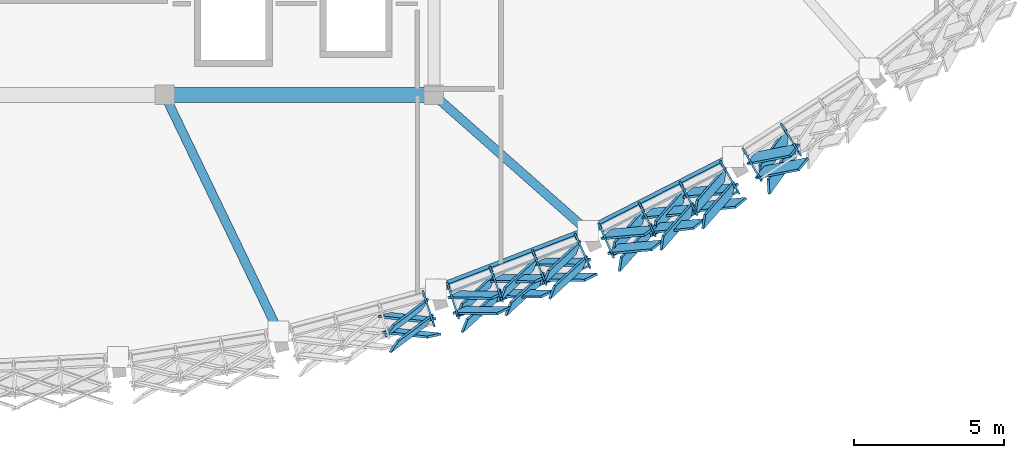
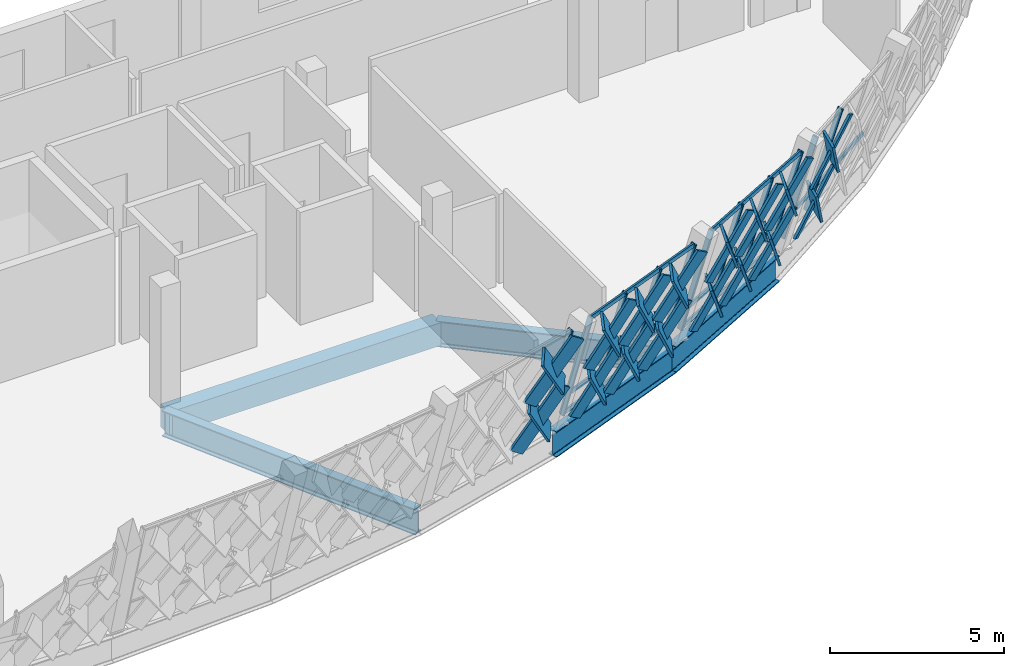
# One storey, part 89 of 182: 50 members, 5 beams, 4 elements without a shape of their own.
"""IFC4 building model written with IfcOpenShell, lengths in metres."""

from ifc_helpers import new_model, si_unit, direction, frame, origin, origin_2d, place, context, subcontext, project, spatial, rectangle, hollow_rectangle, i_section, extrude, material, material_profile, profile_set, type_object, element, aggregate, save


model = new_model("IFC4")

# Units and contexts
model_context = context("Model", 3, precision=1e-05, world=origin(), true_north=direction((0.0, 1.0)))
body_context = subcontext(model_context, "Body", "Model", "MODEL_VIEW")
ifc_project = project(units=[si_unit("LENGTHUNIT", "METRE"), si_unit("AREAUNIT", "SQUARE_METRE"), si_unit("VOLUMEUNIT", "CUBIC_METRE"), si_unit("PLANEANGLEUNIT", "RADIAN"), si_unit("MASSUNIT", "GRAM", prefix="KILO")], contexts=[model_context])

# Site, building, storey
site_placement = place(None, origin())
site = spatial("IfcSite", under=ifc_project, at=site_placement, CompositionType="ELEMENT")
building_placement = place(site_placement, origin())
building = spatial("IfcBuilding", under=site, at=building_placement, Name="Chiffa Square Polytechnic", CompositionType="ELEMENT")
storey_placement = place(building_placement, frame((0.0, 0.0, 9.60009765625)))
storey = spatial("IfcBuildingStorey", under=building, at=storey_placement, Name="L02", CompositionType="ELEMENT", Elevation=9.60009765625)

# Beam
ifc_material_1 = material(Name="Concrete C40/50", Category="concrete")
ifc_material_profile_1 = material_profile(ifc_material_1, rectangle(XDim=0.5, YDim=0.800048828125, at=origin_2d()), Name="RC 500x800")
ifc_profile_set_1 = profile_set([ifc_material_profile_1], Name="Concrete C40/50")
beam_type_1 = type_object("IfcBeamType", Name="BM-RC-500X800", PredefinedType="BEAM", material=ifc_profile_set_1)
beam_1_placement = place(storey_placement, frame((130.199951171875, 14.39990234375, -0.72021484375), z_axis=(1.0, 0.0, 0.0), x_axis=(0.0, 1.0, 0.0)))
element("IfcBeam", 1, at=beam_1_placement, inside=storey, type_object=beam_type_1, Name="Primary floor girder BM-V1-L02-X-1302-0144", PredefinedType="BEAM", context=body_context, shape_type="SweptSolid", body=[
    extrude(rectangle(XDim=0.5, YDim=0.800048828125, at=origin_2d()), origin(), (0.0, 0.0, 1.0), 9.0),
])

# Curtain wall, member
ifc_material_2 = material(Name="Aluminium EN AW-6060 T66 and glulam shading", Category="wood")
curtain_wall_type_1 = type_object("IfcCurtainWallType", Name="CW-PROW-LEAN-150", PredefinedType="USERDEFINED", material=ifc_material_2)
curtain_wall_1_placement = place(storey_placement, origin())
curtain_wall_1 = element("IfcCurtainWall", 2, at=curtain_wall_1_placement, inside=storey, type_object=curtain_wall_type_1, Name="Outward-leaning diamond-fin prow curtain wall CW-V1-L02-031", ObjectType="CURTAIN WALL", PredefinedType="USERDEFINED")
ifc_material_3 = material(Name="Aluminium EN AW-6060 T66", Category="aluminium")
ifc_material_profile_2 = material_profile(ifc_material_3, hollow_rectangle(XDim=0.06494140625, YDim=0.179931640625, WallThickness=0.00390625, at=origin_2d()), Name="ALU 65x180x4")
ifc_profile_set_2 = profile_set([ifc_material_profile_2], Name="Aluminium EN AW-6060 T66")
member_type_1 = type_object("IfcMemberType", Name="CWM-ALU-75X180", PredefinedType="MULLION", material=ifc_profile_set_2)
member_1_placement = place(storey_placement, frame((138.85400390625, 7.783935546875, 0.0), z_axis=(0.084014345968, -0.258840508052, 0.96225941464), x_axis=(0.951151543377, 0.308724377936, 0.0)))
member_1 = element("IfcMember", 3, at=member_1_placement, type_object=member_type_1, Name="Leaning prow mullion CW-V1-L02-031-M03", PredefinedType="MULLION", context=body_context, shape_type="SweptSolid", body=[
    extrude(hollow_rectangle(XDim=0.06494140625, YDim=0.179931640625, WallThickness=0.00390625, at=origin_2d()), origin(), (0.0, 0.0, 1.0), 4.094482421875),
])

# Curtain wall, members
curtain_wall_type_2 = type_object("IfcCurtainWallType", Name="CW-PROW-LEAN-300", PredefinedType="USERDEFINED", material=ifc_material_2)
curtain_wall_2_placement = place(storey_placement, origin())
curtain_wall_2 = element("IfcCurtainWall", 4, at=curtain_wall_2_placement, inside=storey, type_object=curtain_wall_type_2, Name="Outward-leaning diamond-fin prow curtain wall CW-V1-L02-032", ObjectType="CURTAIN WALL", PredefinedType="USERDEFINED")
member_2_placement = place(storey_placement, frame((139.669921875, 8.049072265625, 0.0), z_axis=(0.084013049182, -0.258896138786, 0.962244561891), x_axis=(0.951172420278, 0.308660050707, 0.0)))
member_2 = element("IfcMember", 5, at=member_2_placement, type_object=member_type_1, Name="Leaning prow mullion CW-V1-L02-032-M00", PredefinedType="MULLION", context=body_context, shape_type="SweptSolid", body=[
    extrude(hollow_rectangle(XDim=0.06494140625, YDim=0.179931640625, WallThickness=0.00390625, at=origin_2d()), origin(), (0.0, 0.0, 1.0), 4.094482421875),
])
member_3_placement = place(storey_placement, frame((141.09619140625, 8.5966796875, 0.0), z_axis=(0.093022339596, -0.25557291507, 0.96230417718), x_axis=(0.939690959508, 0.342024707614, 0.0)))
member_3 = element("IfcMember", 6, at=member_3_placement, type_object=member_type_1, Name="Leaning prow mullion CW-V1-L02-032-M01", PredefinedType="MULLION", context=body_context, shape_type="SweptSolid", body=[
    extrude(hollow_rectangle(XDim=0.06494140625, YDim=0.179931640625, WallThickness=0.00390625, at=origin_2d()), origin(), (0.0, 0.0, 1.0), 4.09423828125),
])
member_4_placement = place(storey_placement, frame((142.522705078125, 9.144287109375, 0.0), z_axis=(0.101906852914, -0.252173248082, 0.962301224296), x_axis=(0.927155441925, 0.374676909494, 0.0)))
member_4 = element("IfcMember", 7, at=member_4_placement, type_object=member_type_1, Name="Leaning prow mullion CW-V1-L02-032-M02", PredefinedType="MULLION", context=body_context, shape_type="SweptSolid", body=[
    extrude(hollow_rectangle(XDim=0.06494140625, YDim=0.179931640625, WallThickness=0.00390625, at=origin_2d()), origin(), (0.0, 0.0, 1.0), 4.09423828125),
])
member_5_placement = place(storey_placement, frame((143.948974609375, 9.69189453125, 0.0), z_axis=(0.110897424561, -0.248803738007, 0.962184213745), x_axis=(0.913377785694, 0.407113031726, 0.0)))
member_5 = element("IfcMember", 8, at=member_5_placement, type_object=member_type_1, Name="Leaning prow mullion CW-V1-L02-032-M03", PredefinedType="MULLION", context=body_context, shape_type="SweptSolid", body=[
    extrude(hollow_rectangle(XDim=0.06494140625, YDim=0.179931640625, WallThickness=0.00390625, at=origin_2d()), origin(), (0.0, 0.0, 1.0), 4.0947265625),
])

curtain_wall_3_placement = place(storey_placement, origin())
curtain_wall_3 = element("IfcCurtainWall", 9, at=curtain_wall_3_placement, inside=storey, type_object=curtain_wall_type_1, Name="Outward-leaning diamond-fin prow curtain wall CW-V1-L02-033", ObjectType="CURTAIN WALL", PredefinedType="USERDEFINED")
member_6_placement = place(storey_placement, frame((144.73291015625, 10.041015625, 0.0), z_axis=(0.110895779321, -0.248859668218, 0.962169939077), x_axis=(0.913414051877, 0.407031657041, 0.0)))
member_6 = element("IfcMember", 10, at=member_6_placement, type_object=member_type_1, Name="Leaning prow mullion CW-V1-L02-033-M00", PredefinedType="MULLION", context=body_context, shape_type="SweptSolid", body=[
    extrude(hollow_rectangle(XDim=0.06494140625, YDim=0.179931640625, WallThickness=0.00390625, at=origin_2d()), origin(), (0.0, 0.0, 1.0), 4.094970703125),
])
member_7_placement = place(storey_placement, frame((146.09423828125, 10.734619140625, 0.0), z_axis=(0.119315050299, -0.244533244017, 0.962272004863), x_axis=(0.898724211382, 0.438514300652, 0.0)))
member_7 = element("IfcMember", 11, at=member_7_placement, type_object=member_type_1, Name="Leaning prow mullion CW-V1-L02-033-M01", PredefinedType="MULLION", context=body_context, shape_type="SweptSolid", body=[
    extrude(hollow_rectangle(XDim=0.06494140625, YDim=0.179931640625, WallThickness=0.00390625, at=origin_2d()), origin(), (0.0, 0.0, 1.0), 4.094482421875),
])
member_8_placement = place(storey_placement, frame((147.455810546875, 11.42822265625, 0.0), z_axis=(0.127605516456, -0.240244217664, 0.962288703066), x_axis=(0.883152611601, 0.469085775335, 0.0)))
member_8 = element("IfcMember", 12, at=member_8_placement, type_object=member_type_1, Name="Leaning prow mullion CW-V1-L02-033-M02", PredefinedType="MULLION", context=body_context, shape_type="SweptSolid", body=[
    extrude(hollow_rectangle(XDim=0.06494140625, YDim=0.179931640625, WallThickness=0.00390625, at=origin_2d()), origin(), (0.0, 0.0, 1.0), 4.09423828125),
])
member_9_placement = place(storey_placement, frame((148.81689453125, 12.1220703125, 0.0), z_axis=(0.13605999545, -0.235928747587, 0.962198162387), x_axis=(0.866269400341, 0.499577147228, 0.0)))
member_9 = element("IfcMember", 13, at=member_9_placement, type_object=member_type_1, Name="Leaning prow mullion CW-V1-L02-033-M03", PredefinedType="MULLION", context=body_context, shape_type="SweptSolid", body=[
    extrude(hollow_rectangle(XDim=0.06494140625, YDim=0.179931640625, WallThickness=0.00390625, at=origin_2d()), origin(), (0.0, 0.0, 1.0), 4.0947265625),
])

curtain_wall_4_placement = place(storey_placement, origin())
curtain_wall_4 = element("IfcCurtainWall", 14, at=curtain_wall_4_placement, inside=storey, type_object=curtain_wall_type_2, Name="Outward-leaning diamond-fin prow curtain wall CW-V1-L02-034", ObjectType="CURTAIN WALL", PredefinedType="USERDEFINED")
member_10_placement = place(storey_placement, frame((149.56103515625, 12.551025390625, 0.0), z_axis=(0.136001475365, -0.235930661122, 0.962205966434), x_axis=(0.866364137103, 0.499412837182, 0.0)))
member_10 = element("IfcMember", 15, at=member_10_placement, type_object=member_type_1, Name="Leaning prow mullion CW-V1-L02-034-M00", PredefinedType="MULLION", context=body_context, shape_type="SweptSolid", body=[
    extrude(hollow_rectangle(XDim=0.06494140625, YDim=0.179931640625, WallThickness=0.00390625, at=origin_2d()), origin(), (0.0, 0.0, 1.0), 4.0947265625),
])
member_11_placement = place(storey_placement, frame((150.842041015625, 13.383056640625, 0.0), z_axis=(0.144004270539, -0.230764607448, 0.962294375966), x_axis=(0.848367563844, 0.529407665809, 0.0)))
member_11 = element("IfcMember", 16, at=member_11_placement, type_object=member_type_1, Name="Leaning prow mullion CW-V1-L02-034-M01", PredefinedType="MULLION", context=body_context, shape_type="SweptSolid", body=[
    extrude(hollow_rectangle(XDim=0.06494140625, YDim=0.179931640625, WallThickness=0.00390625, at=origin_2d()), origin(), (0.0, 0.0, 1.0), 4.09423828125),
])

# Member
ifc_material_4 = material(Name="Glulam GL28h", Category="wood")
ifc_material_profile_3 = material_profile(ifc_material_4, rectangle(XDim=0.080078125, YDim=0.580078125, at=origin_2d()), Name="GL28h 80x580")
ifc_profile_set_3 = profile_set([ifc_material_profile_3], Name="Glulam GL28h")
member_type_2 = type_object("IfcMemberType", Name="CWM-GL-80X580", PredefinedType="MULLION", material=ifc_profile_set_3)
member_12_placement = place(storey_placement, frame((137.55908203125, 7.037109375, 0.039794921875), z_axis=(0.607554366802, -0.06846246901, 0.791322046778), x_axis=(-0.095360008427, 0.982784811571, 0.158241849515)))
member_12 = element("IfcMember", 17, at=member_12_placement, type_object=member_type_2, Name="Diamond glulam fin CW-V1-L02-031-DF05A", PredefinedType="MULLION", context=body_context, shape_type="SweptSolid", body=[
    extrude(rectangle(XDim=0.080078125, YDim=0.580078125, at=origin_2d()), origin(), (0.0, 0.0, 1.0), 2.439208984375),
])

member_13_placement = place(storey_placement, frame((138.873046875, 7.388916015625, 0.039794921875), z_axis=(-0.480743878, -0.362375847535, 0.798479222578), x_axis=(0.746449845607, -0.646942315178, 0.155814854317)))
member_13 = element("IfcMember", 18, at=member_13_placement, type_object=member_type_2, Name="Diamond glulam fin CW-V1-L02-031-DF05B", PredefinedType="MULLION", context=body_context, shape_type="SweptSolid", body=[
    extrude(rectangle(XDim=0.080078125, YDim=0.580078125, at=origin_2d()), origin(), (0.0, 0.0, 1.0), 2.417236328125),
])

member_14_placement = place(storey_placement, frame((137.7109375, 6.512939453125, 1.969970703125), z_axis=(0.611565214493, -0.066522178419, 0.788392534339), x_axis=(-0.098403300926, 0.98232698428, 0.159218360505)))
member_14 = element("IfcMember", 19, at=member_14_placement, type_object=member_type_2, Name="Diamond glulam fin CW-V1-L02-031-DF06A", PredefinedType="MULLION", context=body_context, shape_type="SweptSolid", body=[
    extrude(rectangle(XDim=0.080078125, YDim=0.580078125, at=origin_2d()), origin(), (0.0, 0.0, 1.0), 2.447998046875),
])

member_15_placement = place(storey_placement, frame((139.041015625, 6.8701171875, 1.969970703125), z_axis=(-0.485742264685, -0.363024194088, 0.795152744324), x_axis=(0.743096465138, -0.650518456932, 0.156950249093)))
member_15 = element("IfcMember", 20, at=member_15_placement, type_object=member_type_2, Name="Diamond glulam fin CW-V1-L02-031-DF06B", PredefinedType="MULLION", context=body_context, shape_type="SweptSolid", body=[
    extrude(rectangle(XDim=0.080078125, YDim=0.580078125, at=origin_2d()), origin(), (0.0, 0.0, 1.0), 2.427001953125),
])

aggregate(curtain_wall_1, [member_1, member_12, member_13, member_14, member_15])

member_16_placement = place(storey_placement, frame((139.885986328125, 7.718017578125, 0.039794921875), z_axis=(0.602195303037, -0.010299114841, 0.798282371867), x_axis=(-0.270072654345, 0.938335901218, 0.215839055456)))
member_16 = element("IfcMember", 21, at=member_16_placement, type_object=member_type_2, Name="Diamond glulam fin CW-V1-L02-032-DF01A", PredefinedType="MULLION", context=body_context, shape_type="SweptSolid", body=[
    extrude(rectangle(XDim=0.080078125, YDim=0.580078125, at=origin_2d()), origin(), (0.0, 0.0, 1.0), 2.41796875),
])

member_17_placement = place(storey_placement, frame((141.156005859375, 8.2060546875, 0.039794921875), z_axis=(-0.450995929486, -0.412862452093, 0.791294677878), x_axis=(0.839551768665, -0.497131595528, 0.219118699475)))
member_17 = element("IfcMember", 22, at=member_17_placement, type_object=member_type_2, Name="Diamond glulam fin CW-V1-L02-032-DF01B", PredefinedType="MULLION", context=body_context, shape_type="SweptSolid", body=[
    extrude(rectangle(XDim=0.080078125, YDim=0.580078125, at=origin_2d()), origin(), (0.0, 0.0, 1.0), 2.439208984375),
])

member_18_placement = place(storey_placement, frame((140.055908203125, 7.198974609375, 1.969970703125), z_axis=(0.60622458583, -0.007846916312, 0.79525478775), x_axis=(-0.272886787468, 0.937190853436, 0.217269660702)))
member_18 = element("IfcMember", 23, at=member_18_placement, type_object=member_type_2, Name="Diamond glulam fin CW-V1-L02-032-DF02A", PredefinedType="MULLION", context=body_context, shape_type="SweptSolid", body=[
    extrude(rectangle(XDim=0.080078125, YDim=0.580078125, at=origin_2d()), origin(), (0.0, 0.0, 1.0), 2.4267578125),
])

member_19_placement = place(storey_placement, frame((141.342041015625, 7.693115234375, 1.969970703125), z_axis=(-0.456113320376, -0.413343350007, 0.78810399947), x_axis=(0.836189585922, -0.5021222759, 0.220590562899)))
member_19 = element("IfcMember", 24, at=member_19_placement, type_object=member_type_2, Name="Diamond glulam fin CW-V1-L02-032-DF02B", PredefinedType="MULLION", context=body_context, shape_type="SweptSolid", body=[
    extrude(rectangle(XDim=0.080078125, YDim=0.580078125, at=origin_2d()), origin(), (0.0, 0.0, 1.0), 2.44873046875),
])

member_20_placement = place(storey_placement, frame((141.31298828125, 8.26611328125, 0.039794921875), z_axis=(0.606621216277, -0.007842939644, 0.794952318231), x_axis=(-0.272792474077, 0.937185354317, 0.217411770016)))
member_20 = element("IfcMember", 25, at=member_20_placement, type_object=member_type_2, Name="Diamond glulam fin CW-V1-L02-032-DF03A", PredefinedType="MULLION", context=body_context, shape_type="SweptSolid", body=[
    extrude(rectangle(XDim=0.080078125, YDim=0.580078125, at=origin_2d()), origin(), (0.0, 0.0, 1.0), 2.427978515625),
])

member_21_placement = place(storey_placement, frame((142.5830078125, 8.75390625, 0.039794921875), z_axis=(-0.445602309901, -0.411820185323, 0.794885347941), x_axis=(0.842841426584, -0.492277135326, 0.217443214815)))
member_21 = element("IfcMember", 26, at=member_21_placement, type_object=member_type_2, Name="Diamond glulam fin CW-V1-L02-032-DF03B", PredefinedType="MULLION", context=body_context, shape_type="SweptSolid", body=[
    extrude(rectangle(XDim=0.080078125, YDim=0.580078125, at=origin_2d()), origin(), (0.0, 0.0, 1.0), 2.42822265625),
])

member_22_placement = place(storey_placement, frame((141.5009765625, 7.75390625, 1.969970703125), z_axis=(0.610848666887, -0.005308243867, 0.791729580545), x_axis=(-0.275607333843, 0.936010689318, 0.218916849543)))
member_22 = element("IfcMember", 27, at=member_22_placement, type_object=member_type_2, Name="Diamond glulam fin CW-V1-L02-032-DF04A", PredefinedType="MULLION", context=body_context, shape_type="SweptSolid", body=[
    extrude(rectangle(XDim=0.080078125, YDim=0.580078125, at=origin_2d()), origin(), (0.0, 0.0, 1.0), 2.4375),
])

member_23_placement = place(storey_placement, frame((142.785888671875, 8.2470703125, 1.969970703125), z_axis=(-0.450462551032, -0.412398114876, 0.791840441607), x_axis=(0.839710402843, -0.496975249494, 0.21886534844)))
member_23 = element("IfcMember", 28, at=member_23_placement, type_object=member_type_2, Name="Diamond glulam fin CW-V1-L02-032-DF04B", PredefinedType="MULLION", context=body_context, shape_type="SweptSolid", body=[
    extrude(rectangle(XDim=0.080078125, YDim=0.580078125, at=origin_2d()), origin(), (0.0, 0.0, 1.0), 2.437255859375),
])

member_24_placement = place(storey_placement, frame((142.739990234375, 8.81396484375, 0.039794921875), z_axis=(0.611303391378, -0.004904841359, 0.791381138404), x_axis=(-0.276106091696, 0.93582583613, 0.21907859448)))
member_24 = element("IfcMember", 29, at=member_24_placement, type_object=member_type_2, Name="Diamond glulam fin CW-V1-L02-032-DF05A", PredefinedType="MULLION", context=body_context, shape_type="SweptSolid", body=[
    extrude(rectangle(XDim=0.080078125, YDim=0.580078125, at=origin_2d()), origin(), (0.0, 0.0, 1.0), 2.43896484375),
])

member_25_placement = place(storey_placement, frame((144.010009765625, 9.301025390625, 0.039794921875), z_axis=(-0.440465936889, -0.410677433592, 0.798331888364), x_axis=(0.845900373256, -0.487725551913, 0.215815533584)))
member_25 = element("IfcMember", 30, at=member_25_placement, type_object=member_type_2, Name="Diamond glulam fin CW-V1-L02-032-DF05B", PredefinedType="MULLION", context=body_context, shape_type="SweptSolid", body=[
    extrude(rectangle(XDim=0.080078125, YDim=0.580078125, at=origin_2d()), origin(), (0.0, 0.0, 1.0), 2.417724609375),
])

member_26_placement = place(storey_placement, frame((142.945068359375, 8.30810546875, 1.969970703125), z_axis=(0.615407974852, -0.002492741311, 0.788204802529), x_axis=(-0.278683537725, 0.934716906923, 0.22054430329)))
member_26 = element("IfcMember", 31, at=member_26_placement, type_object=member_type_2, Name="Diamond glulam fin CW-V1-L02-032-DF06A", PredefinedType="MULLION", context=body_context, shape_type="SweptSolid", body=[
    extrude(rectangle(XDim=0.080078125, YDim=0.580078125, at=origin_2d()), origin(), (0.0, 0.0, 1.0), 2.448486328125),
])

member_27_placement = place(storey_placement, frame((144.23095703125, 8.802001953125, 1.969970703125), z_axis=(-0.445066672505, -0.411666551513, 0.795264929059), x_axis=(0.843144797469, -0.491836168424, 0.217264893461)))
member_27 = element("IfcMember", 32, at=member_27_placement, type_object=member_type_2, Name="Diamond glulam fin CW-V1-L02-032-DF06B", PredefinedType="MULLION", context=body_context, shape_type="SweptSolid", body=[
    extrude(rectangle(XDim=0.080078125, YDim=0.580078125, at=origin_2d()), origin(), (0.0, 0.0, 1.0), 2.4267578125),
])

member_28_placement = place(storey_placement, frame((144.98291015625, 9.735107421875, 0.039794921875), z_axis=(0.599863248481, 0.052109332696, 0.798403845537), x_axis=(-0.438218001638, 0.856294626181, 0.27335781718)))
member_28 = element("IfcMember", 33, at=member_28_placement, type_object=member_type_2, Name="Diamond glulam fin CW-V1-L02-033-DF01A", PredefinedType="MULLION", context=body_context, shape_type="SweptSolid", body=[
    extrude(rectangle(XDim=0.080078125, YDim=0.580078125, at=origin_2d()), origin(), (0.0, 0.0, 1.0), 2.41748046875),
])

member_29_placement = place(storey_placement, frame((146.195068359375, 10.35205078125, 0.039794921875), z_axis=(-0.40548645461, -0.457536061224, 0.791354211341), x_axis=(0.905109125808, -0.322091733791, 0.277550689791)))
member_29 = element("IfcMember", 34, at=member_29_placement, type_object=member_type_2, Name="Diamond glulam fin CW-V1-L02-033-DF01B", PredefinedType="MULLION", context=body_context, shape_type="SweptSolid", body=[
    extrude(rectangle(XDim=0.080078125, YDim=0.580078125, at=origin_2d()), origin(), (0.0, 0.0, 1.0), 2.43896484375),
])

member_30_placement = place(storey_placement, frame((145.2060546875, 9.236083984375, 1.969970703125), z_axis=(0.603661976426, 0.055235070843, 0.795324653941), x_axis=(-0.440755721258, 0.85439946605, 0.275201647146)))
member_30 = element("IfcMember", 35, at=member_30_placement, type_object=member_type_2, Name="Diamond glulam fin CW-V1-L02-033-DF02A", PredefinedType="MULLION", context=body_context, shape_type="SweptSolid", body=[
    extrude(rectangle(XDim=0.080078125, YDim=0.580078125, at=origin_2d()), origin(), (0.0, 0.0, 1.0), 2.426513671875),
])

member_31_placement = place(storey_placement, frame((146.43310546875, 9.861083984375, 1.969970703125), z_axis=(-0.410066305518, -0.459019030052, 0.788128894997), x_axis=(0.902847571334, -0.326774995988, 0.279435797516)))
member_31 = element("IfcMember", 36, at=member_31_placement, type_object=member_type_2, Name="Diamond glulam fin CW-V1-L02-033-DF02B", PredefinedType="MULLION", context=body_context, shape_type="SweptSolid", body=[
    extrude(rectangle(XDim=0.080078125, YDim=0.580078125, at=origin_2d()), origin(), (0.0, 0.0, 1.0), 2.44873046875),
])

member_32_placement = place(storey_placement, frame((146.343994140625, 10.428955078125, 0.039794921875), z_axis=(0.604175272801, 0.055601418848, 0.794909253914), x_axis=(-0.441015750904, 0.854185582758, 0.275448902089)))
member_32 = element("IfcMember", 37, at=member_32_placement, type_object=member_type_2, Name="Diamond glulam fin CW-V1-L02-033-DF03A", PredefinedType="MULLION", context=body_context, shape_type="SweptSolid", body=[
    extrude(rectangle(XDim=0.080078125, YDim=0.580078125, at=origin_2d()), origin(), (0.0, 0.0, 1.0), 2.42822265625),
])

member_33_placement = place(storey_placement, frame((147.555908203125, 11.0458984375, 0.039794921875), z_axis=(-0.399875625675, -0.456282521828, 0.794924992855), x_axis=(0.907951489068, -0.315843557984, 0.275439540335)))
member_33 = element("IfcMember", 38, at=member_33_placement, type_object=member_type_2, Name="Diamond glulam fin CW-V1-L02-033-DF03B", PredefinedType="MULLION", context=body_context, shape_type="SweptSolid", body=[
    extrude(rectangle(XDim=0.080078125, YDim=0.580078125, at=origin_2d()), origin(), (0.0, 0.0, 1.0), 2.42822265625),
])

member_34_placement = place(storey_placement, frame((146.5849609375, 9.93798828125, 1.969970703125), z_axis=(0.607981707227, 0.058694774372, 0.791778483629), x_axis=(-0.443416464567, 0.85234141728, 0.277301185249)))
member_34 = element("IfcMember", 39, at=member_34_placement, type_object=member_type_2, Name="Diamond glulam fin CW-V1-L02-033-DF04A", PredefinedType="MULLION", context=body_context, shape_type="SweptSolid", body=[
    extrude(rectangle(XDim=0.080078125, YDim=0.580078125, at=origin_2d()), origin(), (0.0, 0.0, 1.0), 2.4375),
])

member_35_placement = place(storey_placement, frame((147.81103515625, 10.56396484375, 1.969970703125), z_axis=(-0.404514140444, -0.457795032426, 0.791701975788), x_axis=(0.905686901364, -0.3206404836, 0.277346204184)))
member_35 = element("IfcMember", 40, at=member_35_placement, type_object=member_type_2, Name="Diamond glulam fin CW-V1-L02-033-DF04B", PredefinedType="MULLION", context=body_context, shape_type="SweptSolid", body=[
    extrude(rectangle(XDim=0.080078125, YDim=0.580078125, at=origin_2d()), origin(), (0.0, 0.0, 1.0), 2.437744140625),
])

member_36_placement = place(storey_placement, frame((147.7060546875, 11.1220703125, 0.039794921875), z_axis=(0.608423893527, 0.059060562221, 0.791411533765), x_axis=(-0.443699018043, 0.852124108148, 0.277517000741)))
member_36 = element("IfcMember", 41, at=member_36_placement, type_object=member_type_2, Name="Diamond glulam fin CW-V1-L02-033-DF05A", PredefinedType="MULLION", context=body_context, shape_type="SweptSolid", body=[
    extrude(rectangle(XDim=0.080078125, YDim=0.580078125, at=origin_2d()), origin(), (0.0, 0.0, 1.0), 2.43896484375),
])

member_37_placement = place(storey_placement, frame((148.91796875, 11.739990234375, 0.039794921875), z_axis=(-0.395035490263, -0.454512970776, 0.798351376794), x_axis=(0.910261738819, -0.310936975941, 0.273389399639)))
member_37 = element("IfcMember", 42, at=member_37_placement, type_object=member_type_2, Name="Diamond glulam fin CW-V1-L02-033-DF05B", PredefinedType="MULLION", context=body_context, shape_type="SweptSolid", body=[
    extrude(rectangle(XDim=0.080078125, YDim=0.580078125, at=origin_2d()), origin(), (0.0, 0.0, 1.0), 2.417724609375),
])

member_38_placement = place(storey_placement, frame((147.962890625, 10.64111328125, 1.969970703125), z_axis=(0.612240777103, 0.062021785563, 0.78823507215), x_axis=(-0.445831024142, 0.85040274574, 0.279374064564)))
member_38 = element("IfcMember", 43, at=member_38_placement, type_object=member_type_2, Name="Diamond glulam fin CW-V1-L02-033-DF06A", PredefinedType="MULLION", context=body_context, shape_type="SweptSolid", body=[
    extrude(rectangle(XDim=0.080078125, YDim=0.580078125, at=origin_2d()), origin(), (0.0, 0.0, 1.0), 2.448486328125),
])

member_39_placement = place(storey_placement, frame((149.18994140625, 11.26611328125, 1.969970703125), z_axis=(-0.399697956526, -0.455834744782, 0.795271166961), x_axis=(0.907970929474, -0.315967260667, 0.275233503443)))
member_39 = element("IfcMember", 44, at=member_39_placement, type_object=member_type_2, Name="Diamond glulam fin CW-V1-L02-033-DF06B", PredefinedType="MULLION", context=body_context, shape_type="SweptSolid", body=[
    extrude(rectangle(XDim=0.080078125, YDim=0.580078125, at=origin_2d()), origin(), (0.0, 0.0, 1.0), 2.4267578125),
])

member_40_placement = place(storey_placement, frame((149.841064453125, 12.27294921875, 0.039794921875), z_axis=(0.591089495376, 0.114622685333, 0.798420220475), x_axis=(-0.586557153682, 0.740549972169, 0.327927498367)))
member_40 = element("IfcMember", 45, at=member_40_placement, type_object=member_type_2, Name="Diamond glulam fin CW-V1-L02-034-DF01A", PredefinedType="MULLION", context=body_context, shape_type="SweptSolid", body=[
    extrude(rectangle(XDim=0.080078125, YDim=0.580078125, at=origin_2d()), origin(), (0.0, 0.0, 1.0), 2.41748046875),
])

member_41_placement = place(storey_placement, frame((150.98193359375, 13.012939453125, 0.039794921875), z_axis=(-0.355463717047, -0.497308855615, 0.791409785124), x_axis=(0.932942663654, -0.137023586657, 0.332930207453)))
member_41 = element("IfcMember", 46, at=member_41_placement, type_object=member_type_2, Name="Diamond glulam fin CW-V1-L02-034-DF01B", PredefinedType="MULLION", context=body_context, shape_type="SweptSolid", body=[
    extrude(rectangle(XDim=0.080078125, YDim=0.580078125, at=origin_2d()), origin(), (0.0, 0.0, 1.0), 2.43896484375),
])

member_42_placement = place(storey_placement, frame((150.114990234375, 11.800048828125, 1.969970703125), z_axis=(0.594650040071, 0.118205683824, 0.795247600534), x_axis=(-0.588324450352, 0.738131490196, 0.33020636623)))
member_42 = element("IfcMember", 47, at=member_42_placement, type_object=member_type_2, Name="Diamond glulam fin CW-V1-L02-034-DF02A", PredefinedType="MULLION", context=body_context, shape_type="SweptSolid", body=[
    extrude(rectangle(XDim=0.080078125, YDim=0.580078125, at=origin_2d()), origin(), (0.0, 0.0, 1.0), 2.4267578125),
])

member_43_placement = place(storey_placement, frame((151.27001953125, 12.550048828125, 1.969970703125), z_axis=(-0.359797102475, -0.499468961873, 0.788084260201), x_axis=(0.931372537456, -0.141931575057, 0.33526202361)))
member_43 = element("IfcMember", 48, at=member_43_placement, type_object=member_type_2, Name="Diamond glulam fin CW-V1-L02-034-DF02B", PredefinedType="MULLION", context=body_context, shape_type="SweptSolid", body=[
    extrude(rectangle(XDim=0.080078125, YDim=0.580078125, at=origin_2d()), origin(), (0.0, 0.0, 1.0), 2.448974609375),
])

ifc_material_profile_4 = material_profile(ifc_material_3, hollow_rectangle(XDim=0.06494140625, YDim=0.139892578125, WallThickness=0.00390625, at=origin_2d()), Name="ALU 65x140x4")
ifc_profile_set_4 = profile_set([ifc_material_profile_4], Name="Aluminium EN AW-6060 T66")
member_type_3 = type_object("IfcMemberType", Name="CWT-ALU-75X140", PredefinedType="USERDEFINED", material=ifc_profile_set_4)
member_44_placement = place(storey_placement, frame((139.673583984375, 8.0380859375, 0.039794921875), z_axis=(0.933536243308, 0.358483029488, 0.0), x_axis=(-0.358483029488, 0.933536243308, 0.0)))
member_44 = element("IfcMember", 49, at=member_44_placement, type_object=member_type_3, Name="Leaning prow transom CW-V1-L02-032-T01", ObjectType="TRANSOM", PredefinedType="USERDEFINED", context=body_context, shape_type="SweptSolid", body=[
    extrude(hollow_rectangle(XDim=0.06494140625, YDim=0.139892578125, WallThickness=0.00390625, at=origin_2d()), origin(), (0.0, 0.0, 1.0), 4.584716796875),
])

member_45_placement = place(storey_placement, frame((139.744140625, 7.8203125, 0.849853515625), z_axis=(0.933566597987, 0.358403971969, 0.0), x_axis=(-0.358403971969, 0.933566597987, 0.0)))
member_45 = element("IfcMember", 50, at=member_45_placement, type_object=member_type_3, Name="Leaning prow transom CW-V1-L02-032-T02", ObjectType="TRANSOM", PredefinedType="USERDEFINED", context=body_context, shape_type="SweptSolid", body=[
    extrude(hollow_rectangle(XDim=0.06494140625, YDim=0.139892578125, WallThickness=0.00390625, at=origin_2d()), origin(), (0.0, 0.0, 1.0), 4.60888671875),
])

member_46_placement = place(storey_placement, frame((140.010498046875, 6.999755859375, 3.89990234375), z_axis=(0.933635826498, 0.358223594254, 0.0), x_axis=(-0.358223594254, 0.933635826498, 0.0)))
member_46 = element("IfcMember", 51, at=member_46_placement, type_object=member_type_3, Name="Leaning prow transom CW-V1-L02-032-T03", ObjectType="TRANSOM", PredefinedType="USERDEFINED", context=body_context, shape_type="SweptSolid", body=[
    extrude(hollow_rectangle(XDim=0.06494140625, YDim=0.139892578125, WallThickness=0.00390625, at=origin_2d()), origin(), (0.0, 0.0, 1.0), 4.699951171875),
])

aggregate(curtain_wall_2, [member_2, member_3, member_4, member_5, member_44, member_45, member_46, member_16, member_17, member_18, member_19, member_20, member_21, member_22, member_23, member_24, member_25, member_26, member_27])

member_47_placement = place(storey_placement, frame((144.737548828125, 10.03076171875, 0.039794921875), z_axis=(0.891004140764, 0.453995177443, 0.0), x_axis=(-0.453995177443, 0.891004140764, 0.0)))
member_47 = element("IfcMember", 52, at=member_47_placement, type_object=member_type_3, Name="Leaning prow transom CW-V1-L02-033-T01", ObjectType="TRANSOM", PredefinedType="USERDEFINED", context=body_context, shape_type="SweptSolid", body=[
    extrude(hollow_rectangle(XDim=0.06494140625, YDim=0.139892578125, WallThickness=0.00390625, at=origin_2d()), origin(), (0.0, 0.0, 1.0), 4.5849609375),
])

member_48_placement = place(storey_placement, frame((144.830810546875, 9.8212890625, 0.849853515625), z_axis=(0.891011196776, 0.453981329154, 0.0), x_axis=(-0.453981329154, 0.891011196776, 0.0)))
member_48 = element("IfcMember", 53, at=member_48_placement, type_object=member_type_3, Name="Leaning prow transom CW-V1-L02-033-T02", ObjectType="TRANSOM", PredefinedType="USERDEFINED", context=body_context, shape_type="SweptSolid", body=[
    extrude(hollow_rectangle(XDim=0.06494140625, YDim=0.139892578125, WallThickness=0.00390625, at=origin_2d()), origin(), (0.0, 0.0, 1.0), 4.608642578125),
])

member_49_placement = place(storey_placement, frame((145.182373046875, 9.0322265625, 3.89990234375), z_axis=(0.89095025618, 0.45410091501, 0.0), x_axis=(-0.45410091501, 0.89095025618, 0.0)))
member_49 = element("IfcMember", 54, at=member_49_placement, type_object=member_type_3, Name="Leaning prow transom CW-V1-L02-033-T03", ObjectType="TRANSOM", PredefinedType="USERDEFINED", context=body_context, shape_type="SweptSolid", body=[
    extrude(hollow_rectangle(XDim=0.06494140625, YDim=0.139892578125, WallThickness=0.00390625, at=origin_2d()), origin(), (0.0, 0.0, 1.0), 4.698486328125),
])

aggregate(curtain_wall_3, [member_6, member_7, member_8, member_9, member_47, member_48, member_49, member_28, member_29, member_30, member_31, member_32, member_33, member_34, member_35, member_36, member_37, member_38, member_39])

member_50_placement = place(storey_placement, frame((149.68115234375, 12.342529296875, 0.849853515625), z_axis=(0.838642090397, 0.544682884084, 0.0), x_axis=(-0.544682884084, 0.838642090397, 0.0)))
member_50 = element("IfcMember", 55, at=member_50_placement, type_object=member_type_3, Name="Leaning prow transom CW-V1-L02-034-T02", ObjectType="TRANSOM", PredefinedType="USERDEFINED", context=body_context, shape_type="SweptSolid", body=[
    extrude(hollow_rectangle(XDim=0.06494140625, YDim=0.139892578125, WallThickness=0.00390625, at=origin_2d()), origin(), (0.0, 0.0, 1.0), 4.607666015625),
])

aggregate(curtain_wall_4, [member_10, member_11, member_50, member_40, member_41, member_42, member_43])

# Beams
ifc_material_5 = material(Name="Steel S355", Category="steel")
ifc_material_profile_5 = material_profile(ifc_material_5, i_section(OverallWidth=0.300048828125, OverallDepth=0.89990234375, WebThickness=0.0185546875, FlangeThickness=0.031982421875, FilletRadius=0.030029296875, at=origin_2d()), Name="HEB 900")
ifc_profile_set_5 = profile_set([ifc_material_profile_5], Name="Steel S355")
beam_type_2 = type_object("IfcBeamType", Name="TG-STL-HEB900", PredefinedType="USERDEFINED", material=ifc_profile_set_5)
beam_2_placement = place(storey_placement, frame((139.26904296875, 7.89501953125, -0.77001953125), z_axis=(0.933550082701, 0.358446987837, 0.0), x_axis=(-0.358446987837, 0.933550082701, 0.0)))
element("IfcBeam", 56, at=beam_2_placement, inside=storey, type_object=beam_type_2, Name="Prow perimeter transfer girder TG-V1-L02-06", ObjectType="TRANSFER GIRDER", PredefinedType="USERDEFINED", context=body_context, shape_type="SweptSolid", body=[
    extrude(i_section(OverallWidth=0.300048828125, OverallDepth=0.89990234375, WebThickness=0.0185546875, FlangeThickness=0.031982421875, FilletRadius=0.030029296875, at=origin_2d()), origin(), (0.0, 0.0, 1.0), 5.442626953125),
])
beam_3_placement = place(storey_placement, frame((144.35009765625, 9.845947265625, -0.77001953125), z_axis=(0.89101964271, 0.453964752271, 0.0), x_axis=(-0.453964752271, 0.89101964271, 0.0)))
element("IfcBeam", 57, at=beam_3_placement, inside=storey, type_object=beam_type_2, Name="Prow perimeter transfer girder TG-V1-L02-07", ObjectType="TRANSFER GIRDER", PredefinedType="USERDEFINED", context=body_context, shape_type="SweptSolid", body=[
    extrude(i_section(OverallWidth=0.300048828125, OverallDepth=0.89990234375, WebThickness=0.0185546875, FlangeThickness=0.031982421875, FilletRadius=0.030029296875, at=origin_2d()), origin(), (0.0, 0.0, 1.0), 5.443115234375),
])
beam_4_placement = place(storey_placement, frame((134.010986328125, 6.486083984375, -0.77001953125), z_axis=(-0.433878295519, 0.900971489381, 0.0), x_axis=(-0.900971489381, -0.433878295519, 0.0)))
element("IfcBeam", 58, at=beam_4_placement, inside=storey, type_object=beam_type_2, Name="Prow radial transfer girder TG-V1-RAD-L02-05", ObjectType="TRANSFER GIRDER", PredefinedType="USERDEFINED", context=body_context, shape_type="SweptSolid", body=[
    extrude(i_section(OverallWidth=0.300048828125, OverallDepth=0.89990234375, WebThickness=0.0185546875, FlangeThickness=0.031982421875, FilletRadius=0.030029296875, at=origin_2d()), origin(), (0.0, 0.0, 1.0), 8.78369140625),
])
beam_5_placement = place(storey_placement, frame((144.35009765625, 9.845947265625, -0.77001953125), z_axis=(-0.749136857035, 0.662415254528, 0.0), x_axis=(-0.662415254528, -0.749136857035, 0.0)))
element("IfcBeam", 59, at=beam_5_placement, inside=storey, type_object=beam_type_2, Name="Prow radial transfer girder TG-V1-RAD-L02-07", ObjectType="TRANSFER GIRDER", PredefinedType="USERDEFINED", context=body_context, shape_type="SweptSolid", body=[
    extrude(i_section(OverallWidth=0.300048828125, OverallDepth=0.89990234375, WebThickness=0.0185546875, FlangeThickness=0.031982421875, FilletRadius=0.030029296875, at=origin_2d()), origin(), (0.0, 0.0, 1.0), 6.874755859375),
])

save(model, "model.ifc")
